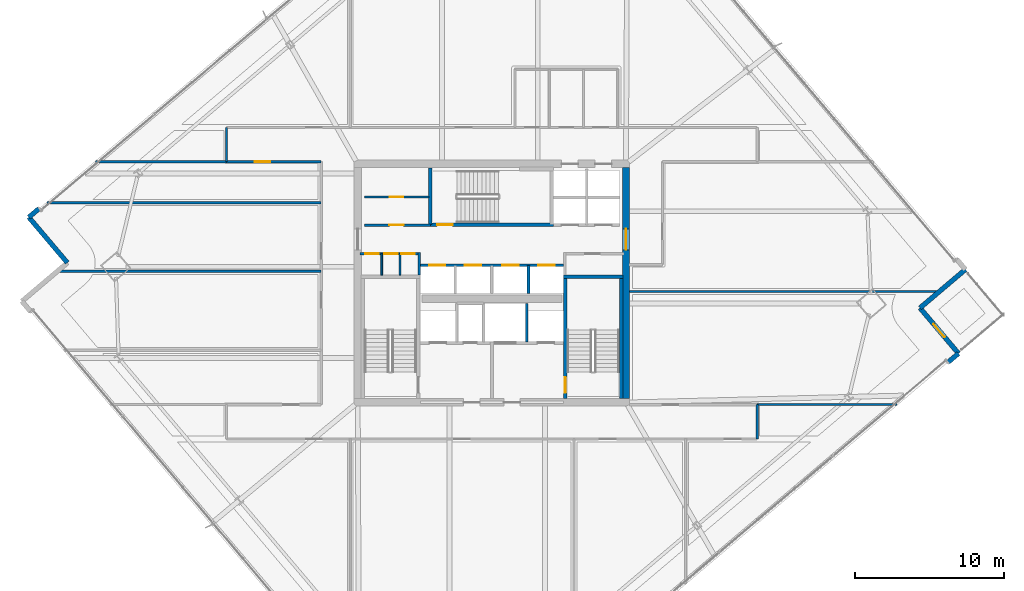
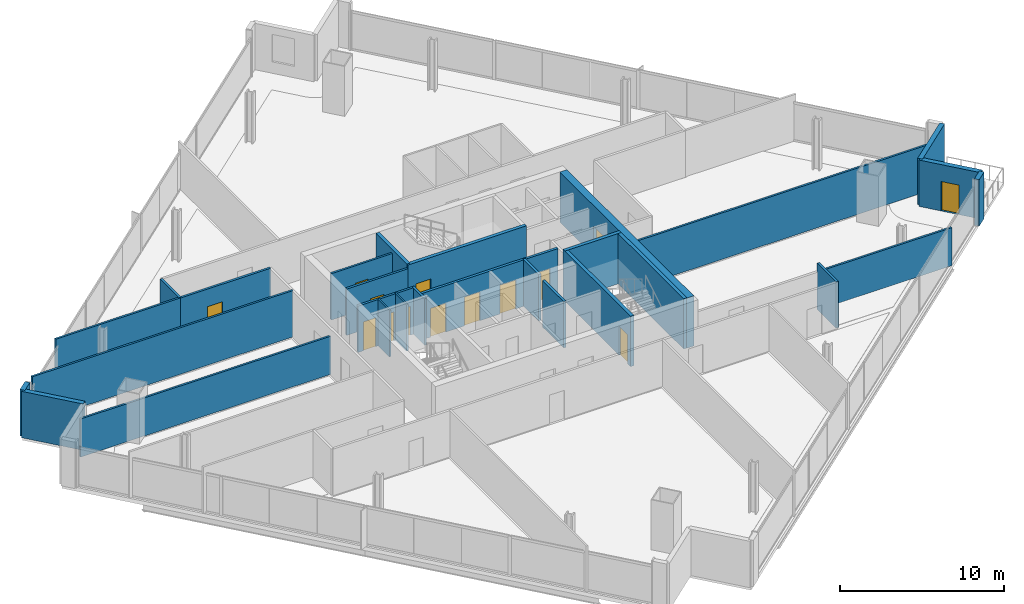
# One storey, part 27 of 34: 28 walls, 14 doors, 14 openings.
"""IFC4 building model written with IfcOpenShell, lengths in metres."""

from ifc_helpers import new_model, si_unit, direction, frame, frame_2d, origin, place, context, subcontext, project, spatial, rectangle, extrude, material, layer, layer_set, type_object, element, fill, save


model = new_model("IFC4")

# Units and contexts
model_context = context("Model", 3, precision=1e-05, world=origin(), true_north=direction((0.0, 1.0)))
body_context = subcontext(model_context, "Body", "Model", "MODEL_VIEW")
ifc_project = project(units=[si_unit("LENGTHUNIT", "METRE"), si_unit("AREAUNIT", "SQUARE_METRE"), si_unit("VOLUMEUNIT", "CUBIC_METRE"), si_unit("PLANEANGLEUNIT", "RADIAN"), si_unit("MASSUNIT", "GRAM", prefix="KILO")], contexts=[model_context])

# Site, building, storey
site_placement = place(None, origin())
site = spatial("IfcSite", under=ifc_project, at=site_placement, CompositionType="ELEMENT")
building_placement = place(site_placement, origin())
building = spatial("IfcBuilding", under=site, at=building_placement, Name="Haldenkirk Collegiate Tower", CompositionType="ELEMENT")
storey_placement = place(building_placement, frame((0.0, 0.0, 163.199951171875)))
storey = spatial("IfcBuildingStorey", under=building, at=storey_placement, Name="L40", CompositionType="ELEMENT", Elevation=163.199951171875)

# Wall, opening, door
ifc_material_1 = material(Name="Concrete f'c 55 MPa", Category="concrete")
ifc_layer_1 = layer(ifc_material_1, 0.5)
ifc_layer_set_1 = layer_set([ifc_layer_1], Name="Concrete f'c 55 MPa")
wall_type_1 = type_object("IfcWallType", Name="WL-CORE-500", PredefinedType="SHEAR", material=ifc_layer_set_1)
wall_1_placement = place(storey_placement, frame((45.0, 18.25, 0.0), z_axis=(0.0, 0.0, 1.0), x_axis=(0.0, 1.0, 0.0)))
wall_1 = element("IfcWall", 1, at=wall_1_placement, inside=storey, type_object=wall_type_1, Name="L40 central core shear wall E", PredefinedType="SHEAR", context=body_context, shape_type="SweptSolid", body=[
    extrude(rectangle(XDim=15.5, YDim=0.5, at=frame_2d((7.75, 0.0))), origin(), (0.0, 0.0, 1.0), 3.75),
])
opening_1_placement = place(wall_1_placement, frame((9.989990234375, 0.0, 0.0)))
opening_1 = element("IfcOpeningElement", 2, at=opening_1_placement, cuts=wall_1, Name="Opening D-03", PredefinedType="OPENING", context=body_context, shape_type="SweptSolid", body=[
    extrude(rectangle(XDim=1.39990234375, YDim=2.199951171875, at=frame_2d((0.699951171875, 1.10009765625))), frame((0.0, 0.260009765625, 0.0), z_axis=(0.0, -1.0, 0.0), x_axis=(1.0, 0.0, 0.0)), (0.0, 0.0, 1.0), 0.52001953125),
])
ifc_material_2 = material(Name="Galvanized fire-rated hollow steel door", Category="steel")
ifc_layer_2 = layer(ifc_material_2, 0.06005859375)
ifc_layer_set_2 = layer_set([ifc_layer_2], Name="Galvanized fire-rated hollow steel door")
door_type_1 = type_object("IfcDoorType", Name="DR-LOBBY-FD90-1400", OperationType="NOTDEFINED", PredefinedType="DOOR", material=ifc_layer_set_2)
door_1_placement = place(opening_1_placement, origin())
door_1 = element("IfcDoor", 3, at=door_1_placement, inside=storey, type_object=door_type_1, Name="L40 east lift lobby portal", OperationType="DOUBLE_DOOR_SINGLE_SWING", OverallHeight=2.199951171875, OverallWidth=1.39990234375, PredefinedType="DOOR", context=body_context, shape_type="SweptSolid", body=[
    extrude(rectangle(XDim=1.39990234375, YDim=2.199951171875, at=frame_2d((0.699951171875, 1.10009765625))), frame((0.0, 0.02490234375, 0.0), z_axis=(0.0, -1.0, 0.0), x_axis=(1.0, 0.0, 0.0)), (0.0, 0.0, 1.0), 0.050048828125),
])
fill(opening_1, door_1)

# Wall
ifc_material_3 = material(Name="Precast concrete f'c 40 MPa", Category="concrete")
ifc_layer_3 = layer(ifc_material_3, 0.320068359375)
ifc_layer_set_3 = layer_set([ifc_layer_3], Name="Precast concrete f'c 40 MPa")
wall_type_2 = type_object("IfcWallType", Name="WL-EXT-TWR-320", PredefinedType="STANDARD", material=ifc_layer_set_3)
wall_2_placement = place(storey_placement, frame((67.307373046875, 21.28759765625, 0.0), z_axis=(0.0, 0.0, 1.0), x_axis=(-0.763396575401, -0.645930080323, 0.0)))
element("IfcWall", 4, at=wall_2_placement, inside=storey, type_object=wall_type_2, Name="L40 precast corner pier SL", PredefinedType="STANDARD", context=body_context, shape_type="SweptSolid", body=[
    extrude(rectangle(XDim=0.89990234375, YDim=0.320068359375, at=frame_2d((0.449951171875, 0.0))), origin(), (0.0, 0.0, 1.0), 3.4599609375),
])

# Wall, opening, door
wall_3_placement = place(storey_placement, frame((64.722900390625, 24.340576171875, 0.0), z_axis=(0.0, 0.0, 1.0), x_axis=(0.646114595748, -0.763240413737, 0.0)))
wall_3 = element("IfcWall", 5, at=wall_3_placement, inside=storey, type_object=wall_type_2, Name="L40 bronze precast notch wall 02", PredefinedType="STANDARD", context=body_context, shape_type="SweptSolid", body=[
    extrude(rectangle(XDim=4.0, YDim=0.320068359375, at=frame_2d((2.0, 0.0))), origin(), (0.0, 0.0, 1.0), 3.4599609375),
])
opening_2_placement = place(wall_3_placement, frame((1.425048828125, 0.0, 0.0)))
opening_2 = element("IfcOpeningElement", 6, at=opening_2_placement, cuts=wall_3, Name="Opening D-ST11", PredefinedType="OPENING", context=body_context, shape_type="SweptSolid", body=[
    extrude(rectangle(XDim=1.14990234375, YDim=2.199951171875, at=frame_2d((0.574951171875, 1.10009765625))), frame((0.0, 0.169921875, 0.0), z_axis=(0.0, -1.0, 0.0), x_axis=(1.0, 0.0, 0.0)), (0.0, 0.0, 1.0), 0.340087890625),
])
ifc_material_4 = material(Name="Anodised architectural bronze aluminium", Category="aluminium")
ifc_layer_4 = layer(ifc_material_4, 0.080078125)
ifc_layer_set_4 = layer_set([ifc_layer_4], Name="Anodised architectural bronze aluminium")
door_type_2 = type_object("IfcDoorType", Name="DR-EXT-STER-1150", OperationType="NOTDEFINED", PredefinedType="DOOR", material=ifc_layer_set_4)
door_2_placement = place(opening_2_placement, origin())
door_2 = element("IfcDoor", 7, at=door_2_placement, inside=storey, type_object=door_type_2, Name="L40 spiralling terrace door", OperationType="SINGLE_SWING_LEFT", OverallHeight=2.199951171875, OverallWidth=1.14990234375, PredefinedType="DOOR", context=body_context, shape_type="SweptSolid", body=[
    extrude(rectangle(XDim=1.14990234375, YDim=2.199951171875, at=frame_2d((0.574951171875, 1.10009765625))), frame((0.0, 0.02490234375, 0.0), z_axis=(0.0, -1.0, 0.0), x_axis=(1.0, 0.0, 0.0)), (0.0, 0.0, 1.0), 0.050048828125),
])
fill(opening_2, door_2)

# Walls
wall_4_placement = place(storey_placement, frame((67.775634765625, 26.925048828125, 0.0), z_axis=(0.0, 0.0, 1.0), x_axis=(-0.763214932113, -0.646144695405, 0.0)))
element("IfcWall", 8, at=wall_4_placement, inside=storey, type_object=wall_type_2, Name="L40 bronze precast notch wall 03", PredefinedType="STANDARD", context=body_context, shape_type="SweptSolid", body=[
    extrude(rectangle(XDim=3.999755859375, YDim=0.320068359375, at=frame_2d((2.0, 0.0))), origin(), (0.0, 0.0, 1.0), 3.4599609375),
])
wall_5_placement = place(storey_placement, frame((4.93505859375, 30.426025390625, 0.0), z_axis=(0.0, 0.0, 1.0), x_axis=(0.763149553642, 0.646221911402, 0.0)))
element("IfcWall", 9, at=wall_5_placement, inside=storey, type_object=wall_type_2, Name="L40 precast corner pier NL", PredefinedType="STANDARD", context=body_context, shape_type="SweptSolid", body=[
    extrude(rectangle(XDim=0.89990234375, YDim=0.320068359375, at=frame_2d((0.449951171875, 0.0))), origin(), (0.0, 0.0, 1.0), 3.4599609375),
])
wall_6_placement = place(storey_placement, frame((7.51953125, 27.373291015625, 0.0), z_axis=(0.0, 0.0, 1.0), x_axis=(-0.646144695405, 0.763214932113, 0.0)))
element("IfcWall", 10, at=wall_6_placement, inside=storey, type_object=wall_type_2, Name="L40 bronze precast notch wall 08", PredefinedType="STANDARD", context=body_context, shape_type="SweptSolid", body=[
    extrude(rectangle(XDim=3.999755859375, YDim=0.320068359375, at=frame_2d((2.0, 0.0))), origin(), (0.0, 0.0, 1.0), 3.4599609375),
])

# Wall, openings, doors
ifc_material_5 = material(Name="Acoustic fire-rated gypsum partition", Category="concrete")
ifc_layer_5 = layer(ifc_material_5, 0.159912109375)
ifc_layer_set_5 = layer_set([ifc_layer_5], Name="Acoustic fire-rated gypsum partition")
wall_type_3 = type_object("IfcWallType", Name="WL-INT-CORR-160", PredefinedType="PARTITIONING", material=ifc_layer_set_5)
wall_7_placement = place(storey_placement, frame((27.14990234375, 27.97998046875, 0.0), z_axis=(0.0, 0.0, 1.0), x_axis=(1.0, 0.0, 0.0)))
wall_7 = element("IfcWall", 11, at=wall_7_placement, inside=storey, type_object=wall_type_3, Name="L40 interior partition IW-L40-VCSW-N", PredefinedType="PARTITIONING", context=body_context, shape_type="SweptSolid", body=[
    extrude(rectangle(XDim=4.050048828125, YDim=0.159912109375, at=frame_2d((2.02490234375, 0.0))), origin(), (0.0, 0.0, 1.0), 3.4599609375),
])
opening_3_placement = place(wall_7_placement, frame((0.360107421875, 0.0, 0.0)))
opening_3 = element("IfcOpeningElement", 12, at=opening_3_placement, cuts=wall_7, Name="Opening D-11", PredefinedType="OPENING", context=body_context, shape_type="SweptSolid", body=[
    extrude(rectangle(XDim=0.89990234375, YDim=2.14990234375, at=frame_2d((0.449951171875, 1.074951171875))), frame((0.0, 0.08984375, 0.0), z_axis=(0.0, -1.0, 0.0), x_axis=(1.0, 0.0, 0.0)), (0.0, 0.0, 1.0), 0.179931640625),
])
opening_4_placement = place(wall_7_placement, frame((1.6298828125, 0.0, 0.0)))
opening_4 = element("IfcOpeningElement", 13, at=opening_4_placement, cuts=wall_7, Name="Opening D-11", PredefinedType="OPENING", context=body_context, shape_type="SweptSolid", body=[
    extrude(rectangle(XDim=0.89990234375, YDim=2.14990234375, at=frame_2d((0.449951171875, 1.074951171875))), frame((0.0, 0.08984375, 0.0), z_axis=(0.0, -1.0, 0.0), x_axis=(1.0, 0.0, 0.0)), (0.0, 0.0, 1.0), 0.179931640625),
])
opening_5_placement = place(wall_7_placement, frame((2.78759765625, 0.0, 0.0)))
opening_5 = element("IfcOpeningElement", 14, at=opening_5_placement, cuts=wall_7, Name="Opening D-11", PredefinedType="OPENING", context=body_context, shape_type="SweptSolid", body=[
    extrude(rectangle(XDim=0.89990234375, YDim=2.14990234375, at=frame_2d((0.449951171875, 1.074951171875))), frame((0.0, 0.08984375, 0.0), z_axis=(0.0, -1.0, 0.0), x_axis=(1.0, 0.0, 0.0)), (0.0, 0.0, 1.0), 0.179931640625),
])
ifc_material_6 = material(Name="Solid-core architectural oak fire door", Category="wood")
ifc_layer_6 = layer(ifc_material_6, 0.06005859375)
ifc_layer_set_6 = layer_set([ifc_layer_6], Name="Solid-core architectural oak fire door")
door_type_3 = type_object("IfcDoorType", Name="DR-INT-FD60-900", OperationType="NOTDEFINED", PredefinedType="DOOR", material=ifc_layer_set_6)
door_3_placement = place(opening_3_placement, origin())
door_3 = element("IfcDoor", 15, at=door_3_placement, inside=storey, type_object=door_type_3, Name="L40 core study booth door", OperationType="SINGLE_SWING_RIGHT", OverallHeight=2.14990234375, OverallWidth=0.89990234375, PredefinedType="DOOR", context=body_context, shape_type="SweptSolid", body=[
    extrude(rectangle(XDim=0.89990234375, YDim=2.14990234375, at=frame_2d((0.449951171875, 1.074951171875))), frame((0.0, 0.02490234375, 0.0), z_axis=(0.0, -1.0, 0.0), x_axis=(1.0, 0.0, 0.0)), (0.0, 0.0, 1.0), 0.050048828125),
])
fill(opening_3, door_3)
door_4_placement = place(opening_4_placement, origin())
door_4 = element("IfcDoor", 16, at=door_4_placement, inside=storey, type_object=door_type_3, Name="L40 core cleaners door", OperationType="SINGLE_SWING_LEFT", OverallHeight=2.14990234375, OverallWidth=0.89990234375, PredefinedType="DOOR", context=body_context, shape_type="SweptSolid", body=[
    extrude(rectangle(XDim=0.89990234375, YDim=2.14990234375, at=frame_2d((0.449951171875, 1.074951171875))), frame((0.0, 0.02490234375, 0.0), z_axis=(0.0, -1.0, 0.0), x_axis=(1.0, 0.0, 0.0)), (0.0, 0.0, 1.0), 0.050048828125),
])
fill(opening_4, door_4)
door_5_placement = place(opening_5_placement, origin())
door_5 = element("IfcDoor", 17, at=door_5_placement, inside=storey, type_object=door_type_3, Name="L40 core stationery door", OperationType="SINGLE_SWING_RIGHT", OverallHeight=2.14990234375, OverallWidth=0.89990234375, PredefinedType="DOOR", context=body_context, shape_type="SweptSolid", body=[
    extrude(rectangle(XDim=0.89990234375, YDim=2.14990234375, at=frame_2d((0.449951171875, 1.074951171875))), frame((0.0, 0.02490234375, 0.0), z_axis=(0.0, -1.0, 0.0), x_axis=(1.0, 0.0, 0.0)), (0.0, 0.0, 1.0), 0.050048828125),
])
fill(opening_5, door_5)

# Wall
wall_8_placement = place(storey_placement, frame((31.1201171875, 26.5400390625, 0.0), z_axis=(0.0, 0.0, 1.0), x_axis=(0.0, 1.0, 0.0)))
element("IfcWall", 18, at=wall_8_placement, inside=storey, type_object=wall_type_3, Name="L40 interior partition IW-L40-VCSW-E", PredefinedType="PARTITIONING", context=body_context, shape_type="SweptSolid", body=[
    extrude(rectangle(XDim=1.510009765625, YDim=0.159912109375, at=frame_2d((0.7548828125, 0.0))), origin(), (0.0, 0.0, 1.0), 3.4599609375),
])

# Wall, opening, door
wall_9_placement = place(storey_placement, frame((27.449951171875, 29.89990234375, 0.0), z_axis=(0.0, 0.0, 1.0), x_axis=(1.0, 0.0, 0.0)))
wall_9 = element("IfcWall", 19, at=wall_9_placement, inside=storey, type_object=wall_type_3, Name="L40 interior partition IW-L40-PLS", PredefinedType="PARTITIONING", context=body_context, shape_type="SweptSolid", body=[
    extrude(rectangle(XDim=4.429931640625, YDim=0.159912109375, at=frame_2d((2.21484375, 0.0))), origin(), (0.0, 0.0, 1.0), 3.4599609375),
])
opening_6_placement = place(wall_9_placement, frame((1.675048828125, 0.0, 0.0)))
opening_6 = element("IfcOpeningElement", 20, at=opening_6_placement, cuts=wall_9, Name="Opening D-10", PredefinedType="OPENING", context=body_context, shape_type="SweptSolid", body=[
    extrude(rectangle(XDim=0.949951171875, YDim=2.14990234375, at=frame_2d((0.47509765625, 1.074951171875))), frame((0.0, 0.08984375, 0.0), z_axis=(0.0, -1.0, 0.0), x_axis=(1.0, 0.0, 0.0)), (0.0, 0.0, 1.0), 0.179931640625),
])
ifc_layer_7 = layer(ifc_material_6, 0.06005859375)
ifc_layer_set_7 = layer_set([ifc_layer_7], Name="Solid-core architectural oak fire door")
door_type_4 = type_object("IfcDoorType", Name="DR-INT-FD60-950", OperationType="NOTDEFINED", PredefinedType="DOOR", material=ifc_layer_set_7)
door_6_placement = place(opening_6_placement, origin())
door_6 = element("IfcDoor", 21, at=door_6_placement, inside=storey, type_object=door_type_4, Name="L40 consultation door", OperationType="SINGLE_SWING_RIGHT", OverallHeight=2.14990234375, OverallWidth=0.949951171875, PredefinedType="DOOR", context=body_context, shape_type="SweptSolid", body=[
    extrude(rectangle(XDim=0.949951171875, YDim=2.14990234375, at=frame_2d((0.47509765625, 1.074951171875))), frame((0.0, 0.02490234375, 0.0), z_axis=(0.0, -1.0, 0.0), x_axis=(1.0, 0.0, 0.0)), (0.0, 0.0, 1.0), 0.050048828125),
])
fill(opening_6, door_6)

wall_10_placement = place(storey_placement, frame((18.199951171875, 34.14990234375, 0.0), z_axis=(0.0, 0.0, 1.0), x_axis=(1.0, 0.0, 0.0)))
wall_10 = element("IfcWall", 22, at=wall_10_placement, inside=storey, type_object=wall_type_3, Name="L40 interior partition IW-L40-CNW", PredefinedType="PARTITIONING", context=body_context, shape_type="SweptSolid", body=[
    extrude(rectangle(XDim=6.35009765625, YDim=0.159912109375, at=frame_2d((3.175048828125, 0.0))), origin(), (0.0, 0.0, 1.0), 3.4599609375),
])
opening_7_placement = place(wall_10_placement, frame((1.887939453125, 0.0, 0.0)))
opening_7 = element("IfcOpeningElement", 23, at=opening_7_placement, cuts=wall_10, Name="Opening D-09", PredefinedType="OPENING", context=body_context, shape_type="SweptSolid", body=[
    extrude(rectangle(XDim=1.050048828125, YDim=2.14990234375, at=frame_2d((0.52490234375, 1.074951171875))), frame((0.0, 0.08984375, 0.0), z_axis=(0.0, -1.0, 0.0), x_axis=(1.0, 0.0, 0.0)), (0.0, 0.0, 1.0), 0.179931640625),
])
ifc_layer_8 = layer(ifc_material_6, 0.06005859375)
ifc_layer_set_8 = layer_set([ifc_layer_8], Name="Solid-core architectural oak fire door")
door_type_5 = type_object("IfcDoorType", Name="DR-INT-FD60-1050", OperationType="NOTDEFINED", PredefinedType="DOOR", material=ifc_layer_set_8)
door_7_placement = place(opening_7_placement, origin())
door_7 = element("IfcDoor", 24, at=door_7_placement, inside=storey, type_object=door_type_5, Name="L40 Departmental Archive 10 door", OperationType="SINGLE_SWING_RIGHT", OverallHeight=2.14990234375, OverallWidth=1.050048828125, PredefinedType="DOOR", context=body_context, shape_type="SweptSolid", body=[
    extrude(rectangle(XDim=1.050048828125, YDim=2.14990234375, at=frame_2d((0.52490234375, 1.074951171875))), frame((0.0, 0.02490234375, 0.0), z_axis=(0.0, -1.0, 0.0), x_axis=(1.0, 0.0, 0.0)), (0.0, 0.0, 1.0), 0.050048828125),
])
fill(opening_7, door_7)

# Walls
for number, where, z_axis, x_axis, name in (
    (25, (53.800048828125, 15.550048828125, 0.0), (0.0, 0.0, 1.0), (0.0, 1.0, 0.0), "L40 interior partition IW-L40-CSR"),
    (26, (18.199951171875, 34.14990234375, 0.0), (0.0, 0.0, 1.0), (0.0, 1.0, 0.0), "L40 interior partition IW-L40-CNL"),
):
    element("IfcWall", number, at=place(storey_placement, frame(where, z_axis=z_axis, x_axis=x_axis)), inside=storey, type_object=wall_type_3, Name=name, PredefinedType="PARTITIONING", context=body_context, shape_type="SweptSolid", body=[
        extrude(rectangle(XDim=2.300048828125, YDim=0.159912109375, at=frame_2d((1.14990234375, 0.0))), origin(), (0.0, 0.0, 1.0), 3.4599609375),
    ])

# Wall, opening, door
ifc_layer_9 = layer(ifc_material_5, 0.139892578125)
ifc_layer_set_9 = layer_set([ifc_layer_9], Name="Acoustic fire-rated gypsum partition")
wall_type_4 = type_object("IfcWallType", Name="WL-INT-DIV-140", PredefinedType="PARTITIONING", material=ifc_layer_set_9)
wall_11_placement = place(storey_placement, frame((27.449951171875, 31.780029296875, 0.0), z_axis=(0.0, 0.0, 1.0), x_axis=(1.0, 0.0, 0.0)))
wall_11 = element("IfcWall", 27, at=wall_11_placement, inside=storey, type_object=wall_type_4, Name="L40 interior partition IW-L40-PLDIVH", PredefinedType="PARTITIONING", context=body_context, shape_type="SweptSolid", body=[
    extrude(rectangle(XDim=4.35009765625, YDim=0.139892578125, at=frame_2d((2.175048828125, 0.0))), origin(), (0.0, 0.0, 1.0), 3.4599609375),
])
opening_8_placement = place(wall_11_placement, frame((1.699951171875, 0.0, 0.0)))
opening_8 = element("IfcOpeningElement", 28, at=opening_8_placement, cuts=wall_11, Name="Opening D-13", PredefinedType="OPENING", context=body_context, shape_type="SweptSolid", body=[
    extrude(rectangle(XDim=0.89990234375, YDim=2.14990234375, at=frame_2d((0.449951171875, 1.074951171875))), frame((0.0, 0.079833984375, 0.0), z_axis=(0.0, -1.0, 0.0), x_axis=(1.0, 0.0, 0.0)), (0.0, 0.0, 1.0), 0.159912109375),
])
ifc_layer_10 = layer(ifc_material_6, 0.06005859375)
ifc_layer_set_10 = layer_set([ifc_layer_10], Name="Solid-core architectural oak fire door")
door_type_6 = type_object("IfcDoorType", Name="DR-INT-STD-900", OperationType="NOTDEFINED", PredefinedType="DOOR", material=ifc_layer_set_10)
door_8_placement = place(opening_8_placement, origin())
door_8 = element("IfcDoor", 29, at=door_8_placement, inside=storey, type_object=door_type_6, Name="L40 folio vault door", OperationType="SINGLE_SWING_LEFT", OverallHeight=2.14990234375, OverallWidth=0.89990234375, PredefinedType="DOOR", context=body_context, shape_type="SweptSolid", body=[
    extrude(rectangle(XDim=0.89990234375, YDim=2.14990234375, at=frame_2d((0.449951171875, 1.074951171875))), frame((0.0, 0.02490234375, 0.0), z_axis=(0.0, -1.0, 0.0), x_axis=(1.0, 0.0, 0.0)), (0.0, 0.0, 1.0), 0.050048828125),
])
fill(opening_8, door_8)

# Walls
wall_12_placement = place(storey_placement, frame((9.395751953125, 34.14990234375, 0.0), z_axis=(0.0, 0.0, 1.0), x_axis=(1.0, 0.0, 0.0)))
element("IfcWall", 30, at=wall_12_placement, inside=storey, type_object=wall_type_4, Name="L40 interior partition IW-L40-BWN", PredefinedType="PARTITIONING", context=body_context, shape_type="SweptSolid", body=[
    extrude(rectangle(XDim=8.80419921875, YDim=0.139892578125, at=frame_2d((4.402099609375, 0.0))), origin(), (0.0, 0.0, 1.0), 3.4599609375),
])
wall_13_placement = place(storey_placement, frame((53.800048828125, 17.85009765625, 0.0), z_axis=(0.0, 0.0, 1.0), x_axis=(1.0, 0.0, 0.0)))
element("IfcWall", 31, at=wall_13_placement, inside=storey, type_object=wall_type_4, Name="L40 interior partition IW-L40-BES", PredefinedType="PARTITIONING", context=body_context, shape_type="SweptSolid", body=[
    extrude(rectangle(XDim=9.384521484375, YDim=0.139892578125, at=frame_2d((4.6923828125, 0.0))), origin(), (0.0, 0.0, 1.0), 2.839111328125),
])
wall_14_placement = place(storey_placement, frame((6.904296875, 26.800048828125, 0.0), z_axis=(0.0, 0.0, 1.0), x_axis=(1.0, 0.0, 0.0)))
element("IfcWall", 32, at=wall_14_placement, inside=storey, type_object=wall_type_4, Name="L40 interior partition IW-L40-RW2", PredefinedType="PARTITIONING", context=body_context, shape_type="SweptSolid", body=[
    extrude(rectangle(XDim=17.645751953125, YDim=0.139892578125, at=frame_2d((8.82275390625, 0.0))), origin(), (0.0, 0.0, 1.0), 2.839111328125),
])
wall_15_placement = place(storey_placement, frame((6.147216796875, 31.39990234375, 0.0), z_axis=(0.0, 0.0, 1.0), x_axis=(1.0, 0.0, 0.0)))
element("IfcWall", 33, at=wall_15_placement, inside=storey, type_object=wall_type_4, Name="L40 interior partition IW-L40-RW3", PredefinedType="PARTITIONING", context=body_context, shape_type="SweptSolid", body=[
    extrude(rectangle(XDim=18.40283203125, YDim=0.139892578125, at=frame_2d((9.201416015625, 0.0))), origin(), (0.0, 0.0, 1.0), 3.4599609375),
])
wall_16_placement = place(storey_placement, frame((45.25, 25.449951171875, 0.0), z_axis=(0.0, 0.0, 1.0), x_axis=(1.0, 0.0, 0.0)))
element("IfcWall", 34, at=wall_16_placement, inside=storey, type_object=wall_type_4, Name="L40 interior partition IW-L40-RE1", PredefinedType="PARTITIONING", context=body_context, shape_type="SweptSolid", body=[
    extrude(rectangle(XDim=20.721435546875, YDim=0.139892578125, at=frame_2d((10.36083984375, 0.0))), origin(), (0.0, 0.0, 1.0), 3.4599609375),
])
ifc_material_7 = material(Name="Fire-rated gypsum shaftboard assembly", Category="concrete")
ifc_layer_11 = layer(ifc_material_7, 0.179931640625)
ifc_layer_set_11 = layer_set([ifc_layer_11], Name="Fire-rated gypsum shaftboard assembly")
wall_type_5 = type_object("IfcWallType", Name="WL-INT-SHAFT-180", PredefinedType="PARTITIONING", material=ifc_layer_set_11)
wall_17_placement = place(storey_placement, frame((38.35009765625, 22.050048828125, 0.0), z_axis=(0.0, 0.0, 1.0), x_axis=(0.0, 1.0, 0.0)))
element("IfcWall", 35, at=wall_17_placement, inside=storey, type_object=wall_type_5, Name="L40 interior partition IW-L40-GL1E", PredefinedType="PARTITIONING", context=body_context, shape_type="SweptSolid", body=[
    extrude(rectangle(XDim=2.599853515625, YDim=0.179931640625, at=frame_2d((1.2998046875, 0.0))), origin(), (0.0, 0.0, 1.0), 3.4599609375),
])

# Wall, openings, doors
wall_18_placement = place(storey_placement, frame((31.199951171875, 27.199951171875, 0.0), z_axis=(0.0, 0.0, 1.0), x_axis=(1.0, 0.0, 0.0)))
wall_18 = element("IfcWall", 36, at=wall_18_placement, inside=storey, type_object=wall_type_5, Name="L40 interior partition IW-L40-PHN", PredefinedType="PARTITIONING", context=body_context, shape_type="SweptSolid", body=[
    extrude(rectangle(XDim=9.60009765625, YDim=0.179931640625, at=frame_2d((4.800048828125, 0.0))), origin(), (0.0, 0.0, 1.0), 3.4599609375),
])
opening_9_placement = place(wall_18_placement, frame((0.590087890625, 0.0, 0.0)))
opening_9 = element("IfcOpeningElement", 37, at=opening_9_placement, cuts=wall_18, Name="Opening LD-11", PredefinedType="OPENING", context=body_context, shape_type="SweptSolid", body=[
    extrude(rectangle(XDim=1.10009765625, YDim=2.14990234375, at=frame_2d((0.550048828125, 1.074951171875))), frame((0.0, 0.099853515625, 0.0), z_axis=(0.0, -1.0, 0.0), x_axis=(1.0, 0.0, 0.0)), (0.0, 0.0, 1.0), 0.199951171875),
])
opening_10_placement = place(wall_18_placement, frame((2.989990234375, 0.0, 0.0)))
opening_10 = element("IfcOpeningElement", 38, at=opening_10_placement, cuts=wall_18, Name="Opening LD-11", PredefinedType="OPENING", context=body_context, shape_type="SweptSolid", body=[
    extrude(rectangle(XDim=1.10009765625, YDim=2.14990234375, at=frame_2d((0.550048828125, 1.074951171875))), frame((0.0, 0.099853515625, 0.0), z_axis=(0.0, -1.0, 0.0), x_axis=(1.0, 0.0, 0.0)), (0.0, 0.0, 1.0), 0.199951171875),
])
opening_11_placement = place(wall_18_placement, frame((5.510009765625, 0.0, 0.0)))
opening_11 = element("IfcOpeningElement", 39, at=opening_11_placement, cuts=wall_18, Name="Opening LD-11", PredefinedType="OPENING", context=body_context, shape_type="SweptSolid", body=[
    extrude(rectangle(XDim=1.10009765625, YDim=2.14990234375, at=frame_2d((0.550048828125, 1.074951171875))), frame((0.0, 0.099853515625, 0.0), z_axis=(0.0, -1.0, 0.0), x_axis=(1.0, 0.0, 0.0)), (0.0, 0.0, 1.0), 0.199951171875),
])
opening_12_placement = place(wall_18_placement, frame((7.909912109375, 0.0, 0.0)))
opening_12 = element("IfcOpeningElement", 40, at=opening_12_placement, cuts=wall_18, Name="Opening LD-11", PredefinedType="OPENING", context=body_context, shape_type="SweptSolid", body=[
    extrude(rectangle(XDim=1.10009765625, YDim=2.14990234375, at=frame_2d((0.550048828125, 1.074951171875))), frame((0.0, 0.099853515625, 0.0), z_axis=(0.0, -1.0, 0.0), x_axis=(1.0, 0.0, 0.0)), (0.0, 0.0, 1.0), 0.199951171875),
])
ifc_material_8 = material(Name="Brushed architectural stainless steel", Category="steel")
ifc_layer_12 = layer(ifc_material_8, 0.06005859375)
ifc_layer_set_12 = layer_set([ifc_layer_12], Name="Brushed architectural stainless steel")
door_type_7 = type_object("IfcDoorType", Name="LD-PASS-1100", OperationType="NOTDEFINED", PredefinedType="DOOR", material=ifc_layer_set_12)
door_9_placement = place(opening_9_placement, origin())
door_9 = element("IfcDoor", 41, at=door_9_placement, inside=storey, type_object=door_type_7, Name="L40 Elevator PH1 sliding landing door", OperationType="SLIDING_TO_LEFT", OverallHeight=2.14990234375, OverallWidth=1.10009765625, PredefinedType="DOOR", context=body_context, shape_type="SweptSolid", body=[
    extrude(rectangle(XDim=1.10009765625, YDim=2.14990234375, at=frame_2d((0.550048828125, 1.074951171875))), frame((0.0, 0.02490234375, 0.0), z_axis=(0.0, -1.0, 0.0), x_axis=(1.0, 0.0, 0.0)), (0.0, 0.0, 1.0), 0.050048828125),
])
fill(opening_9, door_9)
door_10_placement = place(opening_10_placement, origin())
door_10 = element("IfcDoor", 42, at=door_10_placement, inside=storey, type_object=door_type_7, Name="L40 Elevator PH2 sliding landing door", OperationType="SLIDING_TO_LEFT", OverallHeight=2.14990234375, OverallWidth=1.10009765625, PredefinedType="DOOR", context=body_context, shape_type="SweptSolid", body=[
    extrude(rectangle(XDim=1.10009765625, YDim=2.14990234375, at=frame_2d((0.550048828125, 1.074951171875))), frame((0.0, 0.02490234375, 0.0), z_axis=(0.0, -1.0, 0.0), x_axis=(1.0, 0.0, 0.0)), (0.0, 0.0, 1.0), 0.050048828125),
])
fill(opening_10, door_10)
door_11_placement = place(opening_11_placement, origin())
door_11 = element("IfcDoor", 43, at=door_11_placement, inside=storey, type_object=door_type_7, Name="L40 Elevator PH3 sliding landing door", OperationType="SLIDING_TO_LEFT", OverallHeight=2.14990234375, OverallWidth=1.10009765625, PredefinedType="DOOR", context=body_context, shape_type="SweptSolid", body=[
    extrude(rectangle(XDim=1.10009765625, YDim=2.14990234375, at=frame_2d((0.550048828125, 1.074951171875))), frame((0.0, 0.02490234375, 0.0), z_axis=(0.0, -1.0, 0.0), x_axis=(1.0, 0.0, 0.0)), (0.0, 0.0, 1.0), 0.050048828125),
])
fill(opening_11, door_11)
door_12_placement = place(opening_12_placement, origin())
door_12 = element("IfcDoor", 44, at=door_12_placement, inside=storey, type_object=door_type_7, Name="L40 Elevator PH4 sliding landing door", OperationType="SLIDING_TO_LEFT", OverallHeight=2.14990234375, OverallWidth=1.10009765625, PredefinedType="DOOR", context=body_context, shape_type="SweptSolid", body=[
    extrude(rectangle(XDim=1.10009765625, YDim=2.14990234375, at=frame_2d((0.550048828125, 1.074951171875))), frame((0.0, 0.02490234375, 0.0), z_axis=(0.0, -1.0, 0.0), x_axis=(1.0, 0.0, 0.0)), (0.0, 0.0, 1.0), 0.050048828125),
])
fill(opening_12, door_12)

# Walls
wall_19_placement = place(storey_placement, frame((38.4599609375, 25.300048828125, 0.0), z_axis=(0.0, 0.0, 1.0), x_axis=(0.0, 1.0, 0.0)))
element("IfcWall", 45, at=wall_19_placement, inside=storey, type_object=wall_type_5, Name="L40 interior partition IW-L40-PHV3", PredefinedType="PARTITIONING", context=body_context, shape_type="SweptSolid", body=[
    extrude(rectangle(XDim=1.89990234375, YDim=0.179931640625, at=frame_2d((0.949951171875, 0.0))), origin(), (0.0, 0.0, 1.0), 3.4599609375),
])
ifc_layer_13 = layer(ifc_material_5, 0.1201171875)
ifc_layer_set_13 = layer_set([ifc_layer_13], Name="Acoustic fire-rated gypsum partition")
wall_type_6 = type_object("IfcWallType", Name="WL-INT-WET-120", PredefinedType="PARTITIONING", material=ifc_layer_set_13)
for number, where, z_axis, x_axis, name in (
    (46, (28.6201171875, 26.5400390625, 0.0), (0.0, 0.0, 1.0), (0.0, 1.0, 0.0), "L40 interior partition IW-L40-VCSW-M1"),
    (47, (29.840087890625, 26.5400390625, 0.0), (0.0, 0.0, 1.0), (0.0, 1.0, 0.0), "L40 interior partition IW-L40-VCSW-M2"),
):
    element("IfcWall", number, at=place(storey_placement, frame(where, z_axis=z_axis, x_axis=x_axis)), inside=storey, type_object=wall_type_6, Name=name, PredefinedType="PARTITIONING", context=body_context, shape_type="SweptSolid", body=[
        extrude(rectangle(XDim=1.43994140625, YDim=0.1201171875, at=frame_2d((0.719970703125, 0.0))), origin(), (0.0, 0.0, 1.0), 3.4599609375),
    ])

# Wall, opening, door
ifc_layer_14 = layer(ifc_material_1, 0.239990234375)
ifc_layer_set_14 = layer_set([ifc_layer_14], Name="Concrete f'c 55 MPa")
wall_type_7 = type_object("IfcWallType", Name="WL-SHAFT-240", PredefinedType="SHEAR", material=ifc_layer_set_14)
wall_20_placement = place(storey_placement, frame((40.929931640625, 18.280029296875, 0.0), z_axis=(0.0, 0.0, 1.0), x_axis=(0.0, 1.0, 0.0)))
wall_20 = element("IfcWall", 48, at=wall_20_placement, inside=storey, type_object=wall_type_7, Name="L40 stair shaft shear wall SW-L40-ST2W", PredefinedType="SHEAR", context=body_context, shape_type="SweptSolid", body=[
    extrude(rectangle(XDim=8.260009765625, YDim=0.239990234375, at=frame_2d((4.1298828125, 0.0))), origin(), (0.0, 0.0, 1.0), 3.75),
])
opening_13_placement = place(wall_20_placement, frame((0.364990234375, 0.0, 0.0)))
opening_13 = element("IfcOpeningElement", 49, at=opening_13_placement, cuts=wall_20, Name="Opening D-01", PredefinedType="OPENING", context=body_context, shape_type="SweptSolid", body=[
    extrude(rectangle(XDim=1.050048828125, YDim=2.14990234375, at=frame_2d((0.52490234375, 1.074951171875))), frame((0.0, 0.1298828125, 0.0), z_axis=(0.0, -1.0, 0.0), x_axis=(1.0, 0.0, 0.0)), (0.0, 0.0, 1.0), 0.260009765625),
])
ifc_layer_15 = layer(ifc_material_2, 0.06005859375)
ifc_layer_set_15 = layer_set([ifc_layer_15], Name="Galvanized fire-rated hollow steel door")
door_type_8 = type_object("IfcDoorType", Name="DR-STAIR-FD90-1050", OperationType="NOTDEFINED", PredefinedType="DOOR", material=ifc_layer_set_15)
door_13_placement = place(opening_13_placement, origin())
door_13 = element("IfcDoor", 50, at=door_13_placement, inside=storey, type_object=door_type_8, Name="L40 Stair 2 door", OperationType="SINGLE_SWING_RIGHT", OverallHeight=2.14990234375, OverallWidth=1.050048828125, PredefinedType="DOOR", context=body_context, shape_type="SweptSolid", body=[
    extrude(rectangle(XDim=1.050048828125, YDim=2.14990234375, at=frame_2d((0.52490234375, 1.074951171875))), frame((0.0, 0.02490234375, 0.0), z_axis=(0.0, -1.0, 0.0), x_axis=(1.0, 0.0, 0.0)), (0.0, 0.0, 1.0), 0.050048828125),
])
fill(opening_13, door_13)

# Walls
wall_21_placement = place(storey_placement, frame((40.81005859375, 26.419921875, 0.0), z_axis=(0.0, 0.0, 1.0), x_axis=(1.0, 0.0, 0.0)))
element("IfcWall", 51, at=wall_21_placement, inside=storey, type_object=wall_type_7, Name="L40 stair shaft shear wall SW-L40-ST2N", PredefinedType="SHEAR", context=body_context, shape_type="SweptSolid", body=[
    extrude(rectangle(XDim=3.97998046875, YDim=0.239990234375, at=frame_2d((1.989990234375, 0.0))), origin(), (0.0, 0.0, 1.0), 3.75),
])
wall_22_placement = place(storey_placement, frame((44.669921875, 18.280029296875, 0.0), z_axis=(0.0, 0.0, 1.0), x_axis=(0.0, 1.0, 0.0)))
element("IfcWall", 52, at=wall_22_placement, inside=storey, type_object=wall_type_7, Name="L40 stair shaft shear wall SW-L40-ST2E", PredefinedType="SHEAR", context=body_context, shape_type="SweptSolid", body=[
    extrude(rectangle(XDim=8.260009765625, YDim=0.239990234375, at=frame_2d((4.1298828125, 0.0))), origin(), (0.0, 0.0, 1.0), 3.75),
])

# Wall, opening, door
wall_23_placement = place(storey_placement, frame((31.760009765625, 29.929931640625, 0.0), z_axis=(0.0, 0.0, 1.0), x_axis=(1.0, 0.0, 0.0)))
wall_23 = element("IfcWall", 53, at=wall_23_placement, inside=storey, type_object=wall_type_7, Name="L40 stair shaft shear wall SW-L40-ST3S", PredefinedType="SHEAR", context=body_context, shape_type="SweptSolid", body=[
    extrude(rectangle(XDim=8.3798828125, YDim=0.239990234375, at=frame_2d((4.18994140625, 0.0))), origin(), (0.0, 0.0, 1.0), 3.75),
])
opening_14_placement = place(wall_23_placement, frame((0.56494140625, 0.0, 0.0)))
opening_14 = element("IfcOpeningElement", 54, at=opening_14_placement, cuts=wall_23, Name="Opening D-01", PredefinedType="OPENING", context=body_context, shape_type="SweptSolid", body=[
    extrude(rectangle(XDim=1.050048828125, YDim=2.14990234375, at=frame_2d((0.52490234375, 1.074951171875))), frame((0.0, 0.1298828125, 0.0), z_axis=(0.0, -1.0, 0.0), x_axis=(1.0, 0.0, 0.0)), (0.0, 0.0, 1.0), 0.260009765625),
])
door_14_placement = place(opening_14_placement, origin())
door_14 = element("IfcDoor", 55, at=door_14_placement, inside=storey, type_object=door_type_8, Name="L40 lift lobby Stair 3 door", OperationType="SINGLE_SWING_RIGHT", OverallHeight=2.14990234375, OverallWidth=1.050048828125, PredefinedType="DOOR", context=body_context, shape_type="SweptSolid", body=[
    extrude(rectangle(XDim=1.050048828125, YDim=2.14990234375, at=frame_2d((0.52490234375, 1.074951171875))), frame((0.0, 0.02490234375, 0.0), z_axis=(0.0, -1.0, 0.0), x_axis=(1.0, 0.0, 0.0)), (0.0, 0.0, 1.0), 0.050048828125),
])
fill(opening_14, door_14)

# Wall
wall_24_placement = place(storey_placement, frame((31.8798828125, 29.929931640625, 0.0), z_axis=(0.0, 0.0, 1.0), x_axis=(0.0, 1.0, 0.0)))
element("IfcWall", 56, at=wall_24_placement, inside=storey, type_object=wall_type_7, Name="L40 stair shaft shear wall SW-L40-ST3W", PredefinedType="SHEAR", context=body_context, shape_type="SweptSolid", body=[
    extrude(rectangle(XDim=3.7900390625, YDim=0.239990234375, at=frame_2d((1.89501953125, 0.0))), origin(), (0.0, 0.0, 1.0), 3.75),
])

save(model, "model.ifc")
